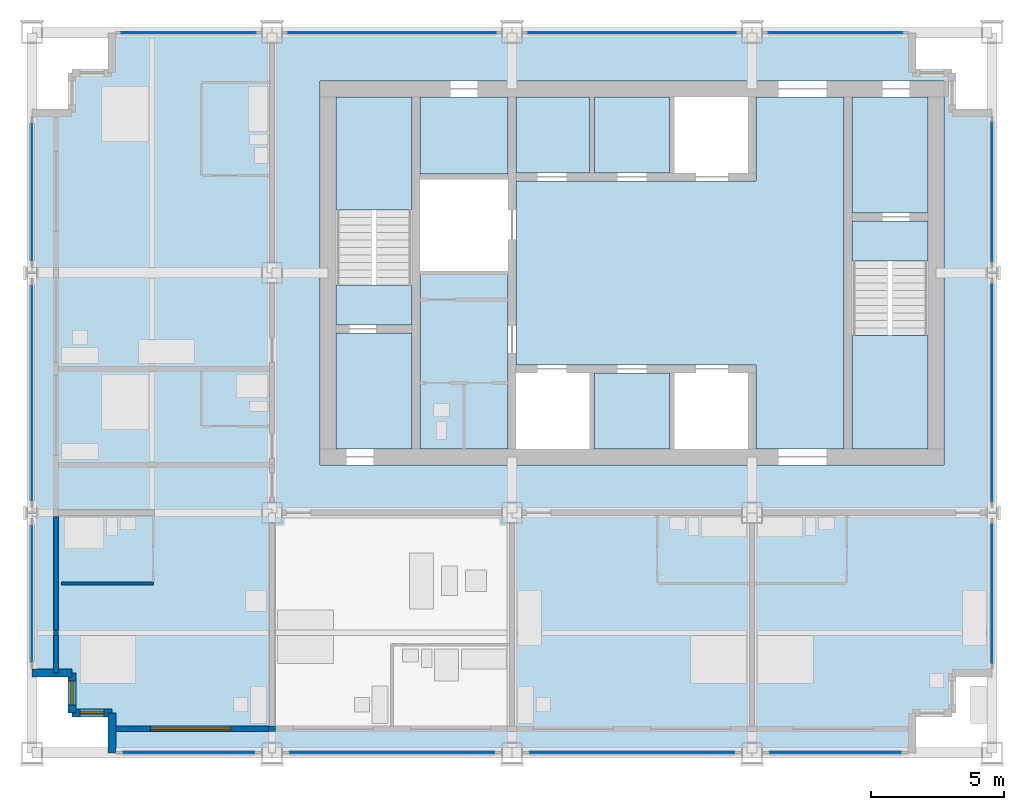
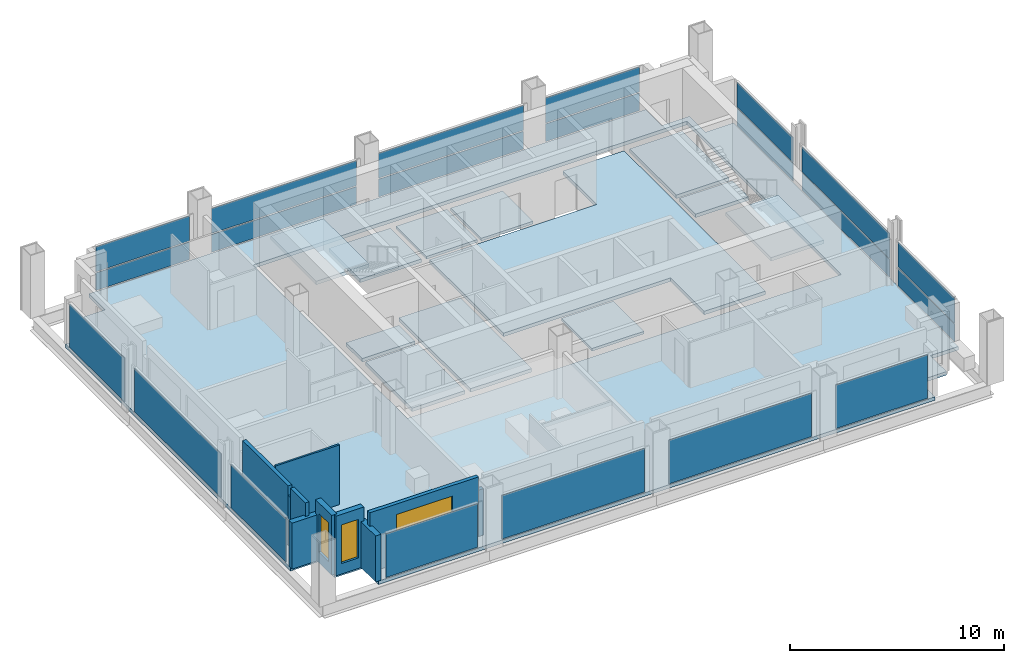
# One storey, part 5 of 11: 21 plates, 13 slabs, 10 walls, 3 windows, 3 openings, 16 elements without a shape of their own.
"""IFC4 building model written with IfcOpenShell, lengths in metres."""

from ifc_helpers import new_model, si_unit, direction, frame, frame_2d, origin, origin_2d, place, context, subcontext, project, spatial, polyline, rectangle, outline, extrude, material, layer, layer_set, type_object, element, fill, aggregate, save


model = new_model("IFC4")

# Units and contexts
model_context = context("Model", 3, precision=1e-05, world=origin(), true_north=direction((0.0, 1.0)))
body_context = subcontext(model_context, "Body", "Model", "MODEL_VIEW")
ifc_project = project(units=[si_unit("LENGTHUNIT", "METRE"), si_unit("AREAUNIT", "SQUARE_METRE"), si_unit("VOLUMEUNIT", "CUBIC_METRE"), si_unit("PLANEANGLEUNIT", "RADIAN"), si_unit("MASSUNIT", "GRAM", prefix="KILO")], contexts=[model_context])

# Site, building, storey
site_placement = place(None, origin())
site = spatial("IfcSite", under=ifc_project, at=site_placement, CompositionType="ELEMENT")
building_placement = place(site_placement, origin())
building = spatial("IfcBuilding", under=site, at=building_placement, Name="Loomwork Tower", CompositionType="ELEMENT")
storey_placement = place(building_placement, frame((0.0, 0.0, 241.0)))
storey = spatial("IfcBuildingStorey", under=building, at=storey_placement, Name="L66", CompositionType="ELEMENT", Elevation=241.0)

# Slabs
ifc_material_1 = material(Name="Concrete 5000 psi (34 MPa) on composite metal deck", Category="concrete")
ifc_layer_1 = layer(ifc_material_1, 0.199951171875)
ifc_layer_set_1 = layer_set([ifc_layer_1], Name="Floor slab 200")
slab_type_1 = type_object("IfcSlabType", Name="Floor slab 200", PredefinedType="FLOOR", material=ifc_layer_set_1)
slab_1_placement = place(storey_placement, frame((0.0, 0.0, -0.199951171875)))
element("IfcSlab", 1, at=slab_1_placement, inside=storey, type_object=slab_type_1, Name="Floor slab L66", PredefinedType="FLOOR", context=body_context, shape_type="SweptSolid", body=[
    extrude(outline(polyline([(3.0, 1.5), (1.5, 1.5), (1.5, 3.0), (0.0, 3.0), (0.0, 24.0), (1.5, 24.0), (1.5, 25.5), (3.0, 25.5), (3.0, 27.0), (33.0, 27.0), (33.0, 25.5), (34.5, 25.5), (34.5, 24.0), (36.0, 24.0), (36.0, 3.0), (34.5, 3.0), (34.5, 1.5), (33.0, 1.5), (33.0, 0.0), (3.0, 0.0), (3.0, 1.5)]), holes=[polyline([(10.800048828125, 11.39990234375), (10.800048828125, 11.39990234375), (10.800048828125, 10.800048828125), (34.199951171875, 10.800048828125), (34.199951171875, 11.39990234375), (34.199951171875, 11.39990234375), (34.199951171875, 24.60009765625), (34.199951171875, 25.199951171875), (10.800048828125, 25.199951171875), (10.800048828125, 24.60009765625), (10.800048828125, 11.39990234375)])]), origin(), (0.0, 0.0, 1.0), 0.199951171875),
])
slab_2_placement = place(storey_placement, frame((0.0, 0.0, -0.199951171875)))
element("IfcSlab", 2, at=slab_2_placement, inside=storey, type_object=slab_type_1, Name="Floor slab L66", PredefinedType="FLOOR", context=body_context, shape_type="SweptSolid", body=[
    extrude(outline(polyline([(30.449951171875, 24.60009765625), (30.449951171875, 11.39990234375), (27.14990234375, 11.39990234375), (27.14990234375, 14.25), (27.14990234375, 14.550048828125), (18.14990234375, 14.550048828125), (18.14990234375, 21.449951171875), (27.14990234375, 21.449951171875), (27.14990234375, 21.75), (27.14990234375, 24.60009765625), (30.449951171875, 24.60009765625)])), origin(), (0.0, 0.0, 1.0), 0.199951171875),
])
slab_3_placement = place(storey_placement, frame((0.0, 0.0, -0.199951171875)))
element("IfcSlab", 3, at=slab_3_placement, inside=storey, type_object=slab_type_1, Name="Floor slab L66", PredefinedType="FLOOR", context=body_context, shape_type="SweptSolid", body=[
    extrude(outline(polyline([(14.550048828125, 11.39990234375), (14.550048828125, 18.074951171875), (17.85009765625, 18.074951171875), (17.85009765625, 11.39990234375), (14.550048828125, 11.39990234375)])), origin(), (0.0, 0.0, 1.0), 0.199951171875),
])
slab_4_placement = place(storey_placement, frame((0.0, 0.0, -0.199951171875)))
element("IfcSlab", 4, at=slab_4_placement, inside=storey, type_object=slab_type_1, Name="Floor slab L66", PredefinedType="FLOOR", context=body_context, shape_type="SweptSolid", body=[
    extrude(outline(polyline([(33.60009765625, 20.25), (30.75, 20.25), (30.75, 24.60009765625), (33.60009765625, 24.60009765625), (33.60009765625, 20.25)])), origin(), (0.0, 0.0, 1.0), 0.199951171875),
])
slab_5_placement = place(storey_placement, frame((0.0, 0.0, -0.199951171875)))
element("IfcSlab", 5, at=slab_5_placement, inside=storey, type_object=slab_type_1, Name="Floor slab L66", PredefinedType="FLOOR", context=body_context, shape_type="SweptSolid", body=[
    extrude(outline(polyline([(14.25, 15.75), (14.25, 11.39990234375), (11.39990234375, 11.39990234375), (11.39990234375, 15.75), (14.25, 15.75)])), origin(), (0.0, 0.0, 1.0), 0.199951171875),
])
slab_6_placement = place(storey_placement, frame((0.0, 0.0, -0.199951171875)))
element("IfcSlab", 6, at=slab_6_placement, inside=storey, type_object=slab_type_1, Name="Floor slab L66", PredefinedType="FLOOR", context=body_context, shape_type="SweptSolid", body=[
    extrude(outline(polyline([(14.550048828125, 21.699951171875), (14.550048828125, 24.60009765625), (17.85009765625, 24.60009765625), (17.85009765625, 21.699951171875), (14.550048828125, 21.699951171875)])), origin(), (0.0, 0.0, 1.0), 0.199951171875),
])

# Curtain wall, plate
ifc_material_2 = material(Name="Aluminium curtain wall frame", Category="aluminium")
curtain_wall_type_1 = type_object("IfcCurtainWallType", Name="Outer skin glazing suites", PredefinedType="NOTDEFINED", material=ifc_material_2)
curtain_wall_1_placement = place(storey_placement, origin())
curtain_wall_1 = element("IfcCurtainWall", 7, at=curtain_wall_1_placement, inside=storey, type_object=curtain_wall_type_1, Name="Outer skin glazing suites cw/S-0", PredefinedType="NOTDEFINED")
ifc_material_3 = material(Name="Clear laminated glass", Category="glass")
ifc_layer_2 = layer(ifc_material_3, 0.02392578125)
ifc_layer_set_2 = layer_set([ifc_layer_2], Name="Outer skin glazing suites panel")
plate_type_1 = type_object("IfcPlateType", Name="Outer skin glazing suites panel", PredefinedType="CURTAIN_PANEL", material=ifc_layer_set_2)
plate_1_placement = place(storey_placement, frame((5.875, 0.0, 0.06494140625), z_axis=(0.0, 0.0, 1.0), x_axis=(1.0, 0.0, 0.0)))
plate_1 = element("IfcPlate", 8, at=plate_1_placement, type_object=plate_type_1, Name="CW2 panel 1.1", PredefinedType="CURTAIN_PANEL", context=body_context, shape_type="SweptSolid", body=[
    extrude(rectangle(XDim=4.949951171875, YDim=0.02392578125, at=origin_2d()), origin(), (0.0, 0.0, 1.0), 2.490234375),
])
aggregate(curtain_wall_1, [plate_1])

curtain_wall_2_placement = place(storey_placement, origin())
curtain_wall_2 = element("IfcCurtainWall", 9, at=curtain_wall_2_placement, inside=storey, type_object=curtain_wall_type_1, Name="Outer skin glazing suites cw/S-9", PredefinedType="NOTDEFINED")
plate_2_placement = place(storey_placement, frame((13.5, 0.0, 0.06494140625), z_axis=(0.0, 0.0, 1.0), x_axis=(1.0, 0.0, 0.0)))
plate_2 = element("IfcPlate", 10, at=plate_2_placement, type_object=plate_type_1, Name="CW2 panel 1.1", PredefinedType="CURTAIN_PANEL", context=body_context, shape_type="SweptSolid", body=[
    extrude(rectangle(XDim=7.699951171875, YDim=0.02392578125, at=origin_2d()), origin(), (0.0, 0.0, 1.0), 2.490234375),
])
aggregate(curtain_wall_2, [plate_2])

curtain_wall_3_placement = place(storey_placement, origin())
curtain_wall_3 = element("IfcCurtainWall", 11, at=curtain_wall_3_placement, inside=storey, type_object=curtain_wall_type_1, Name="Outer skin glazing suites cw/S-18", PredefinedType="NOTDEFINED")
plate_3_placement = place(storey_placement, frame((22.5, 0.0, 0.06494140625), z_axis=(0.0, 0.0, 1.0), x_axis=(1.0, 0.0, 0.0)))
plate_3 = element("IfcPlate", 12, at=plate_3_placement, type_object=plate_type_1, Name="CW2 panel 1.1", PredefinedType="CURTAIN_PANEL", context=body_context, shape_type="SweptSolid", body=[
    extrude(rectangle(XDim=7.699951171875, YDim=0.02392578125, at=origin_2d()), origin(), (0.0, 0.0, 1.0), 2.490234375),
])
aggregate(curtain_wall_3, [plate_3])

curtain_wall_4_placement = place(storey_placement, origin())
curtain_wall_4 = element("IfcCurtainWall", 13, at=curtain_wall_4_placement, inside=storey, type_object=curtain_wall_type_1, Name="Outer skin glazing suites cw/S-27", PredefinedType="NOTDEFINED")
plate_4_placement = place(storey_placement, frame((30.125, 0.0, 0.06494140625), z_axis=(0.0, 0.0, 1.0), x_axis=(1.0, 0.0, 0.0)))
plate_4 = element("IfcPlate", 14, at=plate_4_placement, type_object=plate_type_1, Name="CW2 panel 1.1", PredefinedType="CURTAIN_PANEL", context=body_context, shape_type="SweptSolid", body=[
    extrude(rectangle(XDim=4.949951171875, YDim=0.02392578125, at=origin_2d()), origin(), (0.0, 0.0, 1.0), 2.490234375),
])
aggregate(curtain_wall_4, [plate_4])

curtain_wall_5_placement = place(storey_placement, origin())
curtain_wall_5 = element("IfcCurtainWall", 15, at=curtain_wall_5_placement, inside=storey, type_object=curtain_wall_type_1, Name="Outer skin glazing suites cw/W-0", PredefinedType="NOTDEFINED")
plate_5_placement = place(storey_placement, frame((0.0, 5.969482421875, 0.06494140625), z_axis=(0.0, 0.0, 1.0), x_axis=(0.0, -1.0, 0.0)))
plate_5 = element("IfcPlate", 16, at=plate_5_placement, type_object=plate_type_1, Name="CW2 panel 1.1", PredefinedType="CURTAIN_PANEL", context=body_context, shape_type="SweptSolid", body=[
    extrude(rectangle(XDim=5.13916015625, YDim=0.02392578125, at=origin_2d()), origin(), (0.0, 0.0, 1.0), 2.490234375),
])
aggregate(curtain_wall_5, [plate_5])

curtain_wall_6_placement = place(storey_placement, origin())
curtain_wall_6 = element("IfcCurtainWall", 17, at=curtain_wall_6_placement, inside=storey, type_object=curtain_wall_type_1, Name="Outer skin glazing suites cw/W-9", PredefinedType="NOTDEFINED")
plate_6_placement = place(storey_placement, frame((0.0, 13.5, 0.06494140625), z_axis=(0.0, 0.0, 1.0), x_axis=(0.0, -1.0, 0.0)))
plate_6 = element("IfcPlate", 18, at=plate_6_placement, type_object=plate_type_1, Name="CW2 panel 1.1", PredefinedType="CURTAIN_PANEL", context=body_context, shape_type="SweptSolid", body=[
    extrude(rectangle(XDim=8.078369140625, YDim=0.02392578125, at=origin_2d()), origin(), (0.0, 0.0, 1.0), 2.490234375),
])
aggregate(curtain_wall_6, [plate_6])

curtain_wall_7_placement = place(storey_placement, origin())
curtain_wall_7 = element("IfcCurtainWall", 19, at=curtain_wall_7_placement, inside=storey, type_object=curtain_wall_type_1, Name="Outer skin glazing suites cw/W-18", PredefinedType="NOTDEFINED")
plate_7_placement = place(storey_placement, frame((0.0, 21.030517578125, 0.06494140625), z_axis=(0.0, 0.0, 1.0), x_axis=(0.0, -1.0, 0.0)))
plate_7 = element("IfcPlate", 20, at=plate_7_placement, type_object=plate_type_1, Name="CW2 panel 1.1", PredefinedType="CURTAIN_PANEL", context=body_context, shape_type="SweptSolid", body=[
    extrude(rectangle(XDim=5.13916015625, YDim=0.02392578125, at=origin_2d()), origin(), (0.0, 0.0, 1.0), 2.490234375),
])
aggregate(curtain_wall_7, [plate_7])

# Slabs
ifc_material_4 = material(Name="Concrete 5000 psi (34 MPa) on composite metal deck", Category="concrete")
ifc_layer_3 = layer(ifc_material_4, 0.14990234375)
ifc_layer_set_3 = layer_set([ifc_layer_3], Name="Shaft infill floor 150")
slab_type_2 = type_object("IfcSlabType", Name="Shaft infill floor 150", PredefinedType="FLOOR", material=ifc_layer_set_3)
slab_7_placement = place(storey_placement, frame((0.0, 0.0, -0.14990234375)))
element("IfcSlab", 21, at=slab_7_placement, inside=storey, type_object=slab_type_2, Name="Shaft infill floor LS1 L66", PredefinedType="FLOOR", context=body_context, shape_type="SweptSolid", body=[
    extrude(outline(polyline([(18.14990234375, 21.75), (20.89990234375, 21.75), (20.89990234375, 24.60009765625), (18.14990234375, 24.60009765625), (18.14990234375, 21.75)])), origin(), (0.0, 0.0, 1.0), 0.14990234375),
])
slab_8_placement = place(storey_placement, frame((0.0, 0.0, -0.14990234375)))
element("IfcSlab", 22, at=slab_8_placement, inside=storey, type_object=slab_type_2, Name="Shaft infill floor LS2 L66", PredefinedType="FLOOR", context=body_context, shape_type="SweptSolid", body=[
    extrude(outline(polyline([(21.10009765625, 21.75), (23.89990234375, 21.75), (23.89990234375, 24.60009765625), (21.10009765625, 24.60009765625), (21.10009765625, 21.75)])), origin(), (0.0, 0.0, 1.0), 0.14990234375),
])
slab_9_placement = place(storey_placement, frame((0.0, 0.0, -0.14990234375)))
element("IfcSlab", 23, at=slab_9_placement, inside=storey, type_object=slab_type_2, Name="Shaft infill floor S2 L66", PredefinedType="FLOOR", context=body_context, shape_type="SweptSolid", body=[
    extrude(outline(polyline([(21.10009765625, 11.39990234375), (23.89990234375, 11.39990234375), (23.89990234375, 14.25), (21.10009765625, 14.25), (21.10009765625, 11.39990234375)])), origin(), (0.0, 0.0, 1.0), 0.14990234375),
])

# Curtain wall, plates
ifc_material_5 = material(Name="Aluminium curtain wall frame", Category="aluminium")
curtain_wall_type_2 = type_object("IfcCurtainWallType", Name="Single skin glazing corridor", PredefinedType="NOTDEFINED", material=ifc_material_5)
curtain_wall_8_placement = place(storey_placement, origin())
curtain_wall_8 = element("IfcCurtainWall", 24, at=curtain_wall_8_placement, inside=storey, type_object=curtain_wall_type_2, Name="Single skin glazing corridor cw/N-0", PredefinedType="NOTDEFINED")
ifc_material_6 = material(Name="Clear insulated glass", Category="glass")
ifc_layer_4 = layer(ifc_material_6, 0.031982421875)
ifc_layer_set_4 = layer_set([ifc_layer_4], Name="Single skin glazing corridor panel")
plate_type_2 = type_object("IfcPlateType", Name="Single skin glazing corridor panel", PredefinedType="CURTAIN_PANEL", material=ifc_layer_set_4)
plate_8_placement = place(storey_placement, frame((5.875, 27.0, 0.06494140625), z_axis=(0.0, 0.0, 1.0), x_axis=(-1.0, 0.0, 0.0)))
plate_8 = element("IfcPlate", 25, at=plate_8_placement, type_object=plate_type_2, Name="CW3 panel 1.1", PredefinedType="CURTAIN_PANEL", context=body_context, shape_type="SweptSolid", body=[
    extrude(rectangle(XDim=5.050048828125, YDim=0.031982421875, at=origin_2d()), origin(), (0.0, 0.0, 1.0), 1.00244140625),
])
plate_9_placement = place(storey_placement, frame((5.875, 27.0, 1.13232421875), z_axis=(0.0, 0.0, 1.0), x_axis=(-1.0, 0.0, 0.0)))
plate_9 = element("IfcPlate", 26, at=plate_9_placement, type_object=plate_type_2, Name="CW3 panel 1.2", PredefinedType="CURTAIN_PANEL", context=body_context, shape_type="SweptSolid", body=[
    extrude(rectangle(XDim=5.050048828125, YDim=0.031982421875, at=origin_2d()), origin(), (0.0, 0.0, 1.0), 1.422607421875),
])
aggregate(curtain_wall_8, [plate_8, plate_9])

curtain_wall_9_placement = place(storey_placement, origin())
curtain_wall_9 = element("IfcCurtainWall", 27, at=curtain_wall_9_placement, inside=storey, type_object=curtain_wall_type_2, Name="Single skin glazing corridor cw/N-9", PredefinedType="NOTDEFINED")
plate_10_placement = place(storey_placement, frame((13.5, 27.0, 0.06494140625), z_axis=(0.0, 0.0, 1.0), x_axis=(-1.0, 0.0, 0.0)))
plate_10 = element("IfcPlate", 28, at=plate_10_placement, type_object=plate_type_2, Name="CW3 panel 1.1", PredefinedType="CURTAIN_PANEL", context=body_context, shape_type="SweptSolid", body=[
    extrude(rectangle(XDim=7.800048828125, YDim=0.031982421875, at=origin_2d()), origin(), (0.0, 0.0, 1.0), 1.00244140625),
])
plate_11_placement = place(storey_placement, frame((13.5, 27.0, 1.13232421875), z_axis=(0.0, 0.0, 1.0), x_axis=(-1.0, 0.0, 0.0)))
plate_11 = element("IfcPlate", 29, at=plate_11_placement, type_object=plate_type_2, Name="CW3 panel 1.2", PredefinedType="CURTAIN_PANEL", context=body_context, shape_type="SweptSolid", body=[
    extrude(rectangle(XDim=7.800048828125, YDim=0.031982421875, at=origin_2d()), origin(), (0.0, 0.0, 1.0), 1.422607421875),
])
aggregate(curtain_wall_9, [plate_10, plate_11])

curtain_wall_10_placement = place(storey_placement, origin())
curtain_wall_10 = element("IfcCurtainWall", 30, at=curtain_wall_10_placement, inside=storey, type_object=curtain_wall_type_2, Name="Single skin glazing corridor cw/N-18", PredefinedType="NOTDEFINED")
plate_12_placement = place(storey_placement, frame((22.5, 27.0, 0.06494140625), z_axis=(0.0, 0.0, 1.0), x_axis=(-1.0, 0.0, 0.0)))
plate_12 = element("IfcPlate", 31, at=plate_12_placement, type_object=plate_type_2, Name="CW3 panel 1.1", PredefinedType="CURTAIN_PANEL", context=body_context, shape_type="SweptSolid", body=[
    extrude(rectangle(XDim=7.800048828125, YDim=0.031982421875, at=origin_2d()), origin(), (0.0, 0.0, 1.0), 1.00244140625),
])
plate_13_placement = place(storey_placement, frame((22.5, 27.0, 1.13232421875), z_axis=(0.0, 0.0, 1.0), x_axis=(-1.0, 0.0, 0.0)))
plate_13 = element("IfcPlate", 32, at=plate_13_placement, type_object=plate_type_2, Name="CW3 panel 1.2", PredefinedType="CURTAIN_PANEL", context=body_context, shape_type="SweptSolid", body=[
    extrude(rectangle(XDim=7.800048828125, YDim=0.031982421875, at=origin_2d()), origin(), (0.0, 0.0, 1.0), 1.422607421875),
])
aggregate(curtain_wall_10, [plate_12, plate_13])

curtain_wall_11_placement = place(storey_placement, origin())
curtain_wall_11 = element("IfcCurtainWall", 33, at=curtain_wall_11_placement, inside=storey, type_object=curtain_wall_type_2, Name="Single skin glazing corridor cw/N-27", PredefinedType="NOTDEFINED")
plate_14_placement = place(storey_placement, frame((30.125, 27.0, 0.06494140625), z_axis=(0.0, 0.0, 1.0), x_axis=(-1.0, 0.0, 0.0)))
plate_14 = element("IfcPlate", 34, at=plate_14_placement, type_object=plate_type_2, Name="CW3 panel 1.1", PredefinedType="CURTAIN_PANEL", context=body_context, shape_type="SweptSolid", body=[
    extrude(rectangle(XDim=5.050048828125, YDim=0.031982421875, at=origin_2d()), origin(), (0.0, 0.0, 1.0), 1.00244140625),
])
plate_15_placement = place(storey_placement, frame((30.125, 27.0, 1.13232421875), z_axis=(0.0, 0.0, 1.0), x_axis=(-1.0, 0.0, 0.0)))
plate_15 = element("IfcPlate", 35, at=plate_15_placement, type_object=plate_type_2, Name="CW3 panel 1.2", PredefinedType="CURTAIN_PANEL", context=body_context, shape_type="SweptSolid", body=[
    extrude(rectangle(XDim=5.050048828125, YDim=0.031982421875, at=origin_2d()), origin(), (0.0, 0.0, 1.0), 1.422607421875),
])
aggregate(curtain_wall_11, [plate_14, plate_15])

curtain_wall_12_placement = place(storey_placement, origin())
curtain_wall_12 = element("IfcCurtainWall", 36, at=curtain_wall_12_placement, inside=storey, type_object=curtain_wall_type_2, Name="Single skin glazing corridor cw/E-0", PredefinedType="NOTDEFINED")
plate_16_placement = place(storey_placement, frame((36.0, 5.969482421875, 0.06494140625), z_axis=(0.0, 0.0, 1.0), x_axis=(0.0, 1.0, 0.0)))
plate_16 = element("IfcPlate", 37, at=plate_16_placement, type_object=plate_type_2, Name="CW3 panel 1.1", PredefinedType="CURTAIN_PANEL", context=body_context, shape_type="SweptSolid", body=[
    extrude(rectangle(XDim=5.2392578125, YDim=0.031982421875, at=origin_2d()), origin(), (0.0, 0.0, 1.0), 1.00244140625),
])
plate_17_placement = place(storey_placement, frame((36.0, 5.969482421875, 1.13232421875), z_axis=(0.0, 0.0, 1.0), x_axis=(0.0, 1.0, 0.0)))
plate_17 = element("IfcPlate", 38, at=plate_17_placement, type_object=plate_type_2, Name="CW3 panel 1.2", PredefinedType="CURTAIN_PANEL", context=body_context, shape_type="SweptSolid", body=[
    extrude(rectangle(XDim=5.2392578125, YDim=0.031982421875, at=origin_2d()), origin(), (0.0, 0.0, 1.0), 1.422607421875),
])
aggregate(curtain_wall_12, [plate_16, plate_17])

curtain_wall_13_placement = place(storey_placement, origin())
curtain_wall_13 = element("IfcCurtainWall", 39, at=curtain_wall_13_placement, inside=storey, type_object=curtain_wall_type_2, Name="Single skin glazing corridor cw/E-9", PredefinedType="NOTDEFINED")
plate_18_placement = place(storey_placement, frame((36.0, 13.5, 0.06494140625), z_axis=(0.0, 0.0, 1.0), x_axis=(0.0, 1.0, 0.0)))
plate_18 = element("IfcPlate", 40, at=plate_18_placement, type_object=plate_type_2, Name="CW3 panel 1.1", PredefinedType="CURTAIN_PANEL", context=body_context, shape_type="SweptSolid", body=[
    extrude(rectangle(XDim=8.178466796875, YDim=0.031982421875, at=origin_2d()), origin(), (0.0, 0.0, 1.0), 1.00244140625),
])
plate_19_placement = place(storey_placement, frame((36.0, 13.5, 1.13232421875), z_axis=(0.0, 0.0, 1.0), x_axis=(0.0, 1.0, 0.0)))
plate_19 = element("IfcPlate", 41, at=plate_19_placement, type_object=plate_type_2, Name="CW3 panel 1.2", PredefinedType="CURTAIN_PANEL", context=body_context, shape_type="SweptSolid", body=[
    extrude(rectangle(XDim=8.178466796875, YDim=0.031982421875, at=origin_2d()), origin(), (0.0, 0.0, 1.0), 1.422607421875),
])
aggregate(curtain_wall_13, [plate_18, plate_19])

curtain_wall_14_placement = place(storey_placement, origin())
curtain_wall_14 = element("IfcCurtainWall", 42, at=curtain_wall_14_placement, inside=storey, type_object=curtain_wall_type_2, Name="Single skin glazing corridor cw/E-18", PredefinedType="NOTDEFINED")
plate_20_placement = place(storey_placement, frame((36.0, 21.030517578125, 0.06494140625), z_axis=(0.0, 0.0, 1.0), x_axis=(0.0, 1.0, 0.0)))
plate_20 = element("IfcPlate", 43, at=plate_20_placement, type_object=plate_type_2, Name="CW3 panel 1.1", PredefinedType="CURTAIN_PANEL", context=body_context, shape_type="SweptSolid", body=[
    extrude(rectangle(XDim=5.2392578125, YDim=0.031982421875, at=origin_2d()), origin(), (0.0, 0.0, 1.0), 1.00244140625),
])
plate_21_placement = place(storey_placement, frame((36.0, 21.030517578125, 1.13232421875), z_axis=(0.0, 0.0, 1.0), x_axis=(0.0, 1.0, 0.0)))
plate_21 = element("IfcPlate", 44, at=plate_21_placement, type_object=plate_type_2, Name="CW3 panel 1.2", PredefinedType="CURTAIN_PANEL", context=body_context, shape_type="SweptSolid", body=[
    extrude(rectangle(XDim=5.2392578125, YDim=0.031982421875, at=origin_2d()), origin(), (0.0, 0.0, 1.0), 1.422607421875),
])
aggregate(curtain_wall_14, [plate_20, plate_21])

# Stair, slabs
ifc_material_7 = material(Name="Concrete 5000 psi (34 MPa) precast stair", Category="concrete")
stair_type_1 = type_object("IfcStairType", Name="Stair ST-A 22 risers 2850 wide", PredefinedType="HALF_TURN_STAIR", material=ifc_material_7)
stair_1_placement = place(storey_placement, origin())
stair_1 = element("IfcStair", 45, at=stair_1_placement, inside=storey, type_object=stair_type_1, Name="Stair A L66", PredefinedType="HALF_TURN_STAIR")
ifc_material_8 = material(Name="Concrete 5000 psi (34 MPa)", Category="concrete")
ifc_layer_5 = layer(ifc_material_8, 0.199951171875)
ifc_layer_set_5 = layer_set([ifc_layer_5], Name="Stair landing 200")
slab_type_3 = type_object("IfcSlabType", Name="Stair landing 200", PredefinedType="LANDING", material=ifc_layer_set_5)
slab_10_placement = place(storey_placement, frame((0.0, 0.0, -0.199951171875)))
slab_10 = element("IfcSlab", 46, at=slab_10_placement, type_object=slab_type_3, Name="ST-A landing 1", PredefinedType="LANDING", context=body_context, shape_type="SweptSolid", body=[
    extrude(outline(polyline([(11.39990234375, 16.050048828125), (14.25, 16.050048828125), (14.25, 17.550048828125), (11.39990234375, 17.550048828125), (11.39990234375, 16.050048828125)])), origin(), (0.0, 0.0, 1.0), 0.199951171875),
])
slab_11_placement = place(storey_placement, frame((0.0, 0.0, 1.60009765625)))
slab_11 = element("IfcSlab", 47, at=slab_11_placement, type_object=slab_type_3, Name="ST-A landing 2", PredefinedType="LANDING", context=body_context, shape_type="SweptSolid", body=[
    extrude(outline(polyline([(11.39990234375, 20.35009765625), (14.25, 20.35009765625), (14.25, 24.60009765625), (11.39990234375, 24.60009765625), (11.39990234375, 20.35009765625)])), origin(), (0.0, 0.0, 1.0), 0.199951171875),
])
aggregate(stair_1, [slab_10, slab_11])

ifc_material_9 = material(Name="Concrete 5000 psi (34 MPa) precast stair", Category="concrete")
stair_type_2 = type_object("IfcStairType", Name="Stair ST-B 22 risers 2850 wide", PredefinedType="HALF_TURN_STAIR", material=ifc_material_9)
stair_2_placement = place(storey_placement, origin())
stair_2 = element("IfcStair", 48, at=stair_2_placement, inside=storey, type_object=stair_type_2, Name="Stair B L66", PredefinedType="HALF_TURN_STAIR")
slab_12_placement = place(storey_placement, frame((0.0, 0.0, -0.199951171875)))
slab_12 = element("IfcSlab", 49, at=slab_12_placement, type_object=slab_type_3, Name="ST-B landing 1", PredefinedType="LANDING", context=body_context, shape_type="SweptSolid", body=[
    extrude(outline(polyline([(30.75, 18.449951171875), (33.60009765625, 18.449951171875), (33.60009765625, 19.949951171875), (30.75, 19.949951171875), (30.75, 18.449951171875)])), origin(), (0.0, 0.0, 1.0), 0.199951171875),
])
slab_13_placement = place(storey_placement, frame((0.0, 0.0, 1.60009765625)))
slab_13 = element("IfcSlab", 50, at=slab_13_placement, type_object=slab_type_3, Name="ST-B landing 2", PredefinedType="LANDING", context=body_context, shape_type="SweptSolid", body=[
    extrude(outline(polyline([(30.75, 11.39990234375), (33.60009765625, 11.39990234375), (33.60009765625, 15.64990234375), (30.75, 15.64990234375), (30.75, 11.39990234375)])), origin(), (0.0, 0.0, 1.0), 0.199951171875),
])
aggregate(stair_2, [slab_12, slab_13])

# Wall
ifc_material_10 = material(Name="Cement board on steel studs", Category="steel")
ifc_layer_6 = layer(ifc_material_10, 0.10009765625)
ifc_layer_set_6 = layer_set([ifc_layer_6], Name="En-suite partition 100")
wall_type_1 = type_object("IfcWallType", Name="En-suite partition 100", PredefinedType="PARTITIONING", material=ifc_layer_set_6)
wall_1_placement = place(storey_placement, frame((1.10009765625, 6.35009765625, 0.0), z_axis=(0.0, 0.0, 1.0), x_axis=(1.0, 0.0, 0.0)))
element("IfcWall", 51, at=wall_1_placement, inside=storey, type_object=wall_type_1, Name="En-suite wall L66 room 1", PredefinedType="PARTITIONING", context=body_context, shape_type="SweptSolid", body=[
    extrude(rectangle(XDim=3.449951171875, YDim=0.10009765625, at=frame_2d((1.72509765625, 0.0))), origin(), (0.0, 0.0, 1.0), 3.39990234375),
])

# Wall, opening, window
ifc_material_11 = material(Name="Insulated steel stud wall with gypsum lining", Category="steel")
ifc_layer_7 = layer(ifc_material_11, 0.199951171875)
ifc_layer_set_7 = layer_set([ifc_layer_7], Name="Inner skin wall 200")
wall_type_2 = type_object("IfcWallType", Name="Inner skin wall 200", PredefinedType="SOLIDWALL", material=ifc_layer_set_7)
wall_2_placement = place(storey_placement, frame((3.0, 0.89990234375, 0.0), z_axis=(0.0, 0.0, 1.0), x_axis=(1.0, 0.0, 0.0)))
wall_2 = element("IfcWall", 52, at=wall_2_placement, inside=storey, type_object=wall_type_2, Name="Inner skin wall S", PredefinedType="SOLIDWALL", context=body_context, shape_type="SweptSolid", body=[
    extrude(rectangle(XDim=5.86474609375, YDim=0.199951171875, at=frame_2d((2.932373046875, 0.0))), origin(), (0.0, 0.0, 1.0), 3.39990234375),
])
opening_1_placement = place(wall_2_placement, frame((1.449951171875, 0.0, 0.60009765625)))
opening_1 = element("IfcOpeningElement", 53, at=opening_1_placement, cuts=wall_2, Name="Opening CH1", PredefinedType="OPENING", context=body_context, shape_type="SweptSolid", body=[
    extrude(rectangle(XDim=3.0, YDim=2.199951171875, at=frame_2d((1.5, 1.10009765625))), frame((0.0, 0.10986328125, 0.0), z_axis=(0.0, -1.0, 0.0), x_axis=(1.0, 0.0, 0.0)), (0.0, 0.0, 1.0), 0.219970703125),
])
ifc_material_12 = material(Name="Aluminium frame with clear insulated glass", Category="aluminium")
window_type_1 = type_object("IfcWindowType", Name="Chicago window 3000", PartitioningType="TRIPLE_PANEL_VERTICAL", PredefinedType="WINDOW", material=ifc_material_12)
window_1_placement = place(opening_1_placement, origin())
window_1 = element("IfcWindow", 54, at=window_1_placement, inside=storey, type_object=window_type_1, Name="Chicago window L66 bay 1", OverallHeight=2.199951171875, OverallWidth=3.0, PartitioningType="TRIPLE_PANEL_VERTICAL", PredefinedType="WINDOW", context=body_context, shape_type="SweptSolid", body=[
    extrude(rectangle(XDim=3.0, YDim=2.199951171875, at=frame_2d((1.5, 1.10009765625))), frame((0.0, 0.030029296875, 0.0), z_axis=(0.0, -1.0, 0.0), x_axis=(1.0, 0.0, 0.0)), (0.0, 0.0, 1.0), 0.06005859375),
])
fill(opening_1, window_1)

# Walls
wall_3_placement = place(storey_placement, frame((0.89990234375, 3.0, 0.0), z_axis=(0.0, 0.0, 1.0), x_axis=(0.0, 1.0, 0.0)))
element("IfcWall", 55, at=wall_3_placement, inside=storey, type_object=wall_type_2, Name="Inner skin wall W", PredefinedType="SOLIDWALL", context=body_context, shape_type="SweptSolid", body=[
    extrude(rectangle(XDim=1.392578125, YDim=0.199951171875, at=frame_2d((0.6962890625, 0.0))), origin(), (0.0, 0.0, 1.0), 3.39990234375),
])
wall_4_placement = place(storey_placement, frame((8.86474609375, 0.89990234375, 0.0), z_axis=(0.0, 0.0, 1.0), x_axis=(1.0, 0.0, 0.0)))
element("IfcWall", 56, at=wall_4_placement, inside=storey, type_object=wall_type_2, Name="Inner skin wall S bay 2", PredefinedType="SOLIDWALL", context=body_context, shape_type="SweptSolid", body=[
    extrude(rectangle(XDim=0.2705078125, YDim=0.199951171875, at=frame_2d((0.13525390625, 0.0))), origin(), (0.0, 0.0, 1.0), 2.637939453125),
])
wall_5_placement = place(storey_placement, frame((0.89990234375, 4.392578125, 0.0), z_axis=(0.0, 0.0, 1.0), x_axis=(0.0, 1.0, 0.0)))
element("IfcWall", 57, at=wall_5_placement, inside=storey, type_object=wall_type_2, Name="Inner skin wall W bay 2", PredefinedType="SOLIDWALL", context=body_context, shape_type="SweptSolid", body=[
    extrude(rectangle(XDim=0.21484375, YDim=0.199951171875, at=frame_2d((0.107421875, 0.0))), origin(), (0.0, 0.0, 1.0), 2.861083984375),
])
wall_6_placement = place(storey_placement, frame((0.89990234375, 4.607421875, 0.0), z_axis=(0.0, 0.0, 1.0), x_axis=(0.0, 1.0, 0.0)))
element("IfcWall", 58, at=wall_6_placement, inside=storey, type_object=wall_type_2, Name="Inner skin wall W bay 3", PredefinedType="SOLIDWALL", context=body_context, shape_type="SweptSolid", body=[
    extrude(rectangle(XDim=4.25732421875, YDim=0.199951171875, at=frame_2d((2.128662109375, 0.0))), origin(), (0.0, 0.0, 1.0), 3.39990234375),
])
ifc_material_13 = material(Name="Limestone on concrete masonry", Category="masonry")
ifc_layer_8 = layer(ifc_material_13, 0.300048828125)
ifc_layer_set_8 = layer_set([ifc_layer_8], Name="Limestone corner wall 300")
wall_type_3 = type_object("IfcWallType", Name="Limestone corner wall 300", PredefinedType="SOLIDWALL", material=ifc_layer_set_8)
wall_7_placement = place(storey_placement, frame((0.0, 3.0, 0.0), z_axis=(0.0, 0.0, 1.0), x_axis=(1.0, 0.0, 0.0)))
element("IfcWall", 59, at=wall_7_placement, inside=storey, type_object=wall_type_3, Name="Stone corner wall SW 1", PredefinedType="SOLIDWALL", context=body_context, shape_type="SweptSolid", body=[
    extrude(rectangle(XDim=1.5, YDim=0.300048828125, at=frame_2d((0.75, 0.0))), origin(), (0.0, 0.0, 1.0), 2.6201171875),
])

# Wall, opening, window
wall_8_placement = place(storey_placement, frame((1.5, 3.0, 0.0), z_axis=(0.0, 0.0, 1.0), x_axis=(0.0, -1.0, 0.0)))
wall_8 = element("IfcWall", 60, at=wall_8_placement, inside=storey, type_object=wall_type_3, Name="Stone corner wall SW 2", PredefinedType="SOLIDWALL", context=body_context, shape_type="SweptSolid", body=[
    extrude(rectangle(XDim=1.5, YDim=0.300048828125, at=frame_2d((0.75, 0.0))), origin(), (0.0, 0.0, 1.0), 3.39990234375),
])
opening_2_placement = place(wall_8_placement, frame((0.300048828125, 0.0, 0.60009765625)))
opening_2 = element("IfcOpeningElement", 61, at=opening_2_placement, cuts=wall_8, Name="Opening CH2", PredefinedType="OPENING", context=body_context, shape_type="SweptSolid", body=[
    extrude(rectangle(XDim=0.89990234375, YDim=2.199951171875, at=frame_2d((0.449951171875, 1.10009765625))), frame((0.0, 0.159912109375, 0.0), z_axis=(0.0, -1.0, 0.0), x_axis=(1.0, 0.0, 0.0)), (0.0, 0.0, 1.0), 0.320068359375),
])
ifc_material_14 = material(Name="Aluminium frame with clear insulated glass", Category="aluminium")
window_type_2 = type_object("IfcWindowType", Name="Corner window 900", PartitioningType="SINGLE_PANEL", PredefinedType="WINDOW", material=ifc_material_14)
window_2_placement = place(opening_2_placement, origin())
window_2 = element("IfcWindow", 62, at=window_2_placement, inside=storey, type_object=window_type_2, Name="Corner window SW", OverallHeight=2.199951171875, OverallWidth=0.89990234375, PartitioningType="SINGLE_PANEL", PredefinedType="WINDOW", context=body_context, shape_type="SweptSolid", body=[
    extrude(rectangle(XDim=0.89990234375, YDim=2.199951171875, at=frame_2d((0.449951171875, 1.10009765625))), frame((0.0, 0.030029296875, 0.0), z_axis=(0.0, -1.0, 0.0), x_axis=(1.0, 0.0, 0.0)), (0.0, 0.0, 1.0), 0.06005859375),
])
fill(opening_2, window_2)

wall_9_placement = place(storey_placement, frame((1.5, 1.5, 0.0), z_axis=(0.0, 0.0, 1.0), x_axis=(1.0, 0.0, 0.0)))
wall_9 = element("IfcWall", 63, at=wall_9_placement, inside=storey, type_object=wall_type_3, Name="Stone corner wall SW 3", PredefinedType="SOLIDWALL", context=body_context, shape_type="SweptSolid", body=[
    extrude(rectangle(XDim=1.5, YDim=0.300048828125, at=frame_2d((0.75, 0.0))), origin(), (0.0, 0.0, 1.0), 3.39990234375),
])
opening_3_placement = place(wall_9_placement, frame((0.300048828125, 0.0, 0.60009765625)))
opening_3 = element("IfcOpeningElement", 64, at=opening_3_placement, cuts=wall_9, Name="Opening CH2", PredefinedType="OPENING", context=body_context, shape_type="SweptSolid", body=[
    extrude(rectangle(XDim=0.89990234375, YDim=2.199951171875, at=frame_2d((0.449951171875, 1.10009765625))), frame((0.0, 0.159912109375, 0.0), z_axis=(0.0, -1.0, 0.0), x_axis=(1.0, 0.0, 0.0)), (0.0, 0.0, 1.0), 0.320068359375),
])
window_3_placement = place(opening_3_placement, origin())
window_3 = element("IfcWindow", 65, at=window_3_placement, inside=storey, type_object=window_type_2, Name="Corner window SW", OverallHeight=2.199951171875, OverallWidth=0.89990234375, PartitioningType="SINGLE_PANEL", PredefinedType="WINDOW", context=body_context, shape_type="SweptSolid", body=[
    extrude(rectangle(XDim=0.89990234375, YDim=2.199951171875, at=frame_2d((0.449951171875, 1.10009765625))), frame((0.0, 0.030029296875, 0.0), z_axis=(0.0, -1.0, 0.0), x_axis=(1.0, 0.0, 0.0)), (0.0, 0.0, 1.0), 0.06005859375),
])
fill(opening_3, window_3)

# Wall
wall_10_placement = place(storey_placement, frame((3.0, 1.5, 0.0), z_axis=(0.0, 0.0, 1.0), x_axis=(0.0, -1.0, 0.0)))
element("IfcWall", 66, at=wall_10_placement, inside=storey, type_object=wall_type_3, Name="Stone corner wall SW 4", PredefinedType="SOLIDWALL", context=body_context, shape_type="SweptSolid", body=[
    extrude(rectangle(XDim=1.5, YDim=0.300048828125, at=frame_2d((0.75, 0.0))), origin(), (0.0, 0.0, 1.0), 2.6201171875),
])

save(model, "model.ifc")
